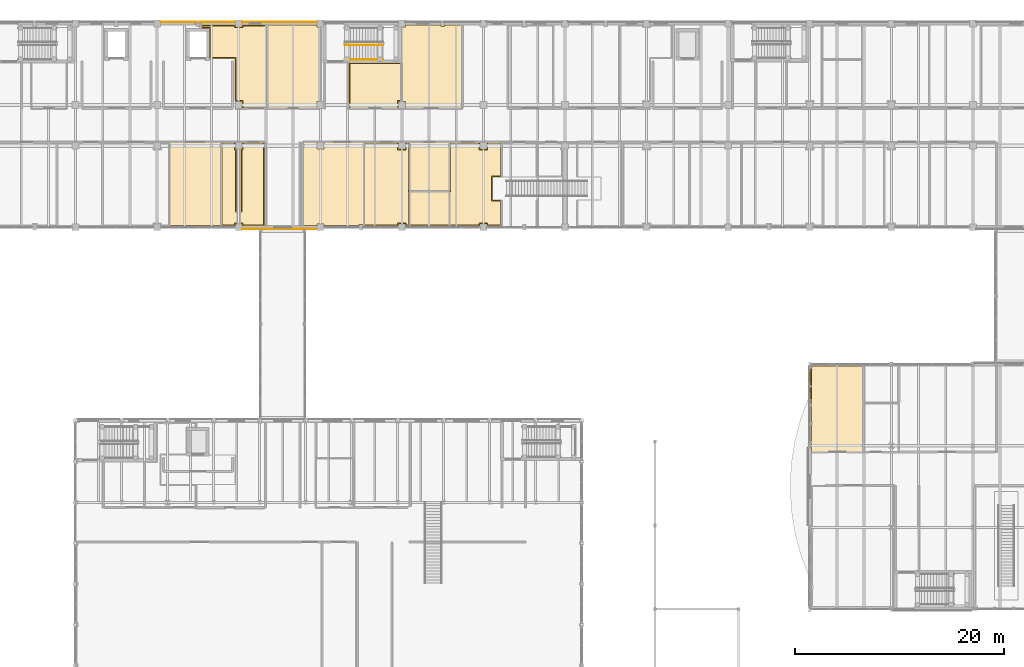
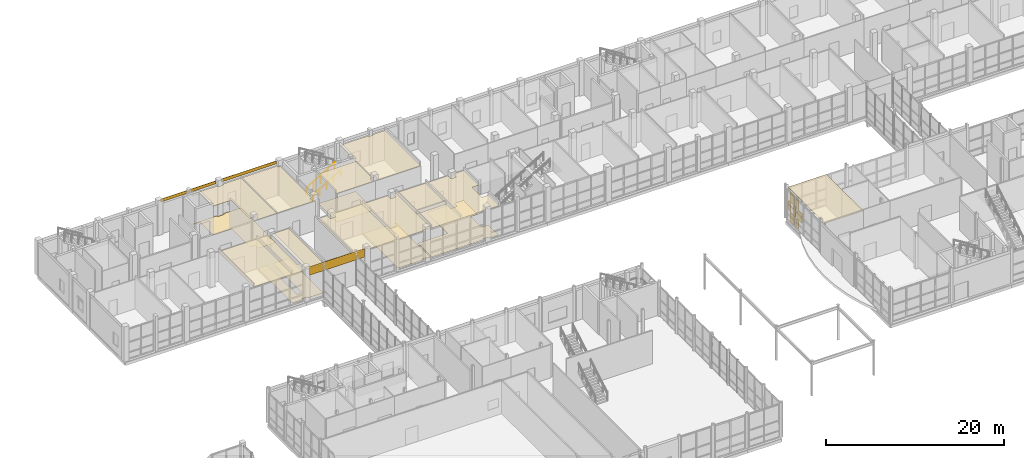
# One storey, part 123 of 131: 27 coverings, 2 railings.
"""IFC4 building model written with IfcOpenShell, lengths in metres."""

from ifc_helpers import new_model, si_unit, direction, frame, origin, origin_2d, place, context, subcontext, project, spatial, polyline, rectangle, circle, outline, extrude, material, layer, layer_set, type_object, element, save


model = new_model("IFC4")

# Units and contexts
model_context = context("Model", 3, precision=1e-05, world=origin(), true_north=direction((0.0, 1.0)))
body_context = subcontext(model_context, "Body", "Model", "MODEL_VIEW")
ifc_project = project(units=[si_unit("LENGTHUNIT", "METRE"), si_unit("AREAUNIT", "SQUARE_METRE"), si_unit("VOLUMEUNIT", "CUBIC_METRE"), si_unit("PLANEANGLEUNIT", "RADIAN"), si_unit("MASSUNIT", "GRAM", prefix="KILO")], contexts=[model_context])

# Site, building, storey
site_placement = place(None, origin())
site = spatial("IfcSite", under=ifc_project, at=site_placement, CompositionType="ELEMENT")
building_placement = place(site_placement, origin())
building = spatial("IfcBuilding", under=site, at=building_placement, Name="Celorna Specialist Clinic", CompositionType="ELEMENT")
storey_placement = place(building_placement, origin())
storey = spatial("IfcBuildingStorey", under=building, at=storey_placement, Name="L00", CompositionType="ELEMENT", Elevation=0.0)

# Coverings
ifc_material_1 = material(Name="Hygienic acoustic mineral-fibre ceiling")
ifc_layer_1 = layer(ifc_material_1, 0.030029296875, Name="Hygienic acoustic mineral-fibre ceiling")
ifc_layer_set_1 = layer_set([ifc_layer_1], Name="Hygienic acoustic mineral-fibre ceiling")
covering_type_1 = type_object("IfcCoveringType", Name="CE-01", PredefinedType="CEILING", material=ifc_layer_set_1)
covering_1_placement = place(storey_placement, frame((0.0, 0.0, 4.330078125)))
element("IfcCovering", 1, at=covering_1_placement, inside=storey, type_object=covering_type_1, Name="Acoustic ceiling L00-042", PredefinedType="CEILING", context=body_context, shape_type="SweptSolid", body=[
    extrude(outline(polyline([(129.93505859375, 83.2451171875), (129.93505859375, 74.985107421875), (124.955078125, 74.985107421875), (124.955078125, 75.39990234375), (124.955078125, 75.800048828125), (124.955078125, 83.199951171875), (124.955078125, 83.2451171875), (129.93505859375, 83.2451171875)])), origin(), (0.0, 0.0, 1.0), 0.030029296875),
])
covering_2_placement = place(storey_placement, frame((0.0, 0.0, 3.989990234375)))
element("IfcCovering", 2, at=covering_2_placement, inside=storey, type_object=covering_type_1, Name="Acoustic ceiling L00-053", PredefinedType="CEILING", context=body_context, shape_type="SweptSolid", body=[
    extrude(outline(polyline([(68.534912109375, 104.6650390625), (68.534912109375, 96.655029296875), (63.554931640625, 96.655029296875), (63.554931640625, 104.6650390625), (68.534912109375, 104.6650390625)])), origin(), (0.0, 0.0, 1.0), 0.030029296875),
])
covering_3_placement = place(storey_placement, frame((0.0, 0.0, 3.989990234375)))
element("IfcCovering", 3, at=covering_3_placement, inside=storey, type_object=covering_type_1, Name="Acoustic ceiling L00-054", PredefinedType="CEILING", context=body_context, shape_type="SweptSolid", body=[
    extrude(outline(polyline([(69.8798828125, 104.6650390625), (69.8798828125, 104.6298828125), (69.8701171875, 104.6298828125), (69.8701171875, 103.969970703125), (69.965087890625, 103.969970703125), (69.965087890625, 98.06494140625), (70.43505859375, 98.06494140625), (70.43505859375, 103.969970703125), (70.530029296875, 103.969970703125), (70.530029296875, 104.6298828125), (70.52001953125, 104.6298828125), (70.52001953125, 104.6650390625), (72.64501953125, 104.6650390625), (72.64501953125, 96.655029296875), (70.530029296875, 96.655029296875), (70.530029296875, 96.830078125), (69.8701171875, 96.830078125), (69.8701171875, 96.655029296875), (68.5048828125, 96.655029296875), (68.5048828125, 104.6650390625), (69.8798828125, 104.6650390625)])), origin(), (0.0, 0.0, 1.0), 0.030029296875),
])
covering_4_placement = place(storey_placement, frame((0.0, 0.0, 3.989990234375)))
element("IfcCovering", 4, at=covering_4_placement, inside=storey, type_object=covering_type_1, Name="Acoustic ceiling L00-055", PredefinedType="CEILING", context=body_context, shape_type="SweptSolid", body=[
    extrude(outline(polyline([(77.679931640625, 104.6650390625), (77.679931640625, 104.6298828125), (77.669921875, 104.6298828125), (77.669921875, 103.969970703125), (78.330078125, 103.969970703125), (78.330078125, 104.6298828125), (78.320068359375, 104.6298828125), (78.320068359375, 104.6650390625), (82.18505859375, 104.6650390625), (82.18505859375, 96.77001953125), (82.080078125, 96.77001953125), (82.080078125, 96.780029296875), (81.719970703125, 96.780029296875), (81.719970703125, 96.655029296875), (78.330078125, 96.655029296875), (78.330078125, 96.830078125), (77.669921875, 96.830078125), (77.669921875, 96.655029296875), (76.304931640625, 96.655029296875), (76.304931640625, 104.6650390625), (77.679931640625, 104.6650390625)])), origin(), (0.0, 0.0, 1.0), 0.030029296875),
])
covering_5_placement = place(storey_placement, frame((0.0, 0.0, 3.989990234375)))
element("IfcCovering", 5, at=covering_5_placement, inside=storey, type_object=covering_type_1, Name="Acoustic ceiling L00-056", PredefinedType="CEILING", context=body_context, shape_type="SweptSolid", body=[
    extrude(outline(polyline([(85.47998046875, 104.6650390625), (85.47998046875, 104.6298828125), (85.469970703125, 104.6298828125), (85.469970703125, 103.969970703125), (86.1298828125, 103.969970703125), (86.1298828125, 104.6298828125), (86.1201171875, 104.6298828125), (86.1201171875, 104.6650390625), (86.534912109375, 104.6650390625), (86.534912109375, 96.655029296875), (86.1298828125, 96.655029296875), (86.1298828125, 96.830078125), (85.469970703125, 96.830078125), (85.469970703125, 96.655029296875), (82.155029296875, 96.655029296875), (82.155029296875, 104.6650390625), (85.47998046875, 104.6650390625)])), origin(), (0.0, 0.0, 1.0), 0.030029296875),
])
covering_6_placement = place(storey_placement, frame((0.0, 0.0, 3.989990234375)))
element("IfcCovering", 6, at=covering_6_placement, inside=storey, type_object=covering_type_1, Name="Acoustic ceiling L00-057", PredefinedType="CEILING", context=body_context, shape_type="SweptSolid", body=[
    extrude(outline(polyline([(90.385009765625, 104.6650390625), (90.385009765625, 99.93505859375), (86.5048828125, 99.93505859375), (86.5048828125, 104.6650390625), (90.385009765625, 104.6650390625)])), origin(), (0.0, 0.0, 1.0), 0.030029296875),
])
covering_7_placement = place(storey_placement, frame((0.0, 0.0, 3.989990234375)))
element("IfcCovering", 7, at=covering_7_placement, inside=storey, type_object=covering_type_1, Name="Acoustic ceiling L00-058", PredefinedType="CEILING", context=body_context, shape_type="SweptSolid", body=[
    extrude(outline(polyline([(90.35498046875, 104.6650390625), (93.280029296875, 104.6650390625), (93.280029296875, 104.6298828125), (93.27001953125, 104.6298828125), (93.27001953125, 103.969970703125), (93.929931640625, 103.969970703125), (93.929931640625, 104.6298828125), (93.919921875, 104.6298828125), (93.919921875, 104.6650390625), (95.3349609375, 104.6650390625), (95.3349609375, 101.31005859375), (94.465087890625, 101.31005859375), (94.465087890625, 99.090087890625), (95.3349609375, 99.090087890625), (95.3349609375, 96.655029296875), (93.929931640625, 96.655029296875), (93.929931640625, 96.830078125), (93.27001953125, 96.830078125), (93.27001953125, 96.655029296875), (86.5048828125, 96.655029296875), (86.5048828125, 99.965087890625), (90.35498046875, 99.965087890625), (90.35498046875, 104.6650390625)])), origin(), (0.0, 0.0, 1.0), 0.030029296875),
])
covering_8_placement = place(storey_placement, frame((0.0, 0.0, 3.989990234375)))
element("IfcCovering", 8, at=covering_8_placement, inside=storey, type_object=covering_type_1, Name="Acoustic ceiling L00-072", PredefinedType="CEILING", context=body_context, shape_type="SweptSolid", body=[
    extrude(outline(polyline([(72.985107421875, 115.844970703125), (72.985107421875, 107.8349609375), (70.52001953125, 107.8349609375), (70.52001953125, 107.8701171875), (70.530029296875, 107.8701171875), (70.530029296875, 108.530029296875), (69.8701171875, 108.530029296875), (69.8701171875, 108.52001953125), (69.8349609375, 108.52001953125), (69.8349609375, 112.635009765625), (67.409912109375, 112.635009765625), (67.409912109375, 115.510009765625), (66.554931640625, 115.510009765625), (66.554931640625, 115.844970703125), (69.8701171875, 115.844970703125), (69.8701171875, 115.669921875), (70.530029296875, 115.669921875), (70.530029296875, 115.844970703125), (72.985107421875, 115.844970703125)])), origin(), (0.0, 0.0, 1.0), 0.030029296875),
])
covering_9_placement = place(storey_placement, frame((0.0, 0.0, 3.989990234375)))
element("IfcCovering", 9, at=covering_9_placement, inside=storey, type_object=covering_type_1, Name="Acoustic ceiling L00-073", PredefinedType="CEILING", context=body_context, shape_type="SweptSolid", body=[
    extrude(outline(polyline([(77.669921875, 115.844970703125), (77.669921875, 115.669921875), (77.93505859375, 115.669921875), (77.93505859375, 108.530029296875), (77.669921875, 108.530029296875), (77.669921875, 107.8701171875), (77.679931640625, 107.8701171875), (77.679931640625, 107.8349609375), (72.955078125, 107.8349609375), (72.955078125, 115.844970703125), (77.669921875, 115.844970703125)])), origin(), (0.0, 0.0, 1.0), 0.030029296875),
])
covering_10_placement = place(storey_placement, frame((0.0, 0.0, 3.989990234375)))
element("IfcCovering", 10, at=covering_10_placement, inside=storey, type_object=covering_type_1, Name="Acoustic ceiling L00-074", PredefinedType="CEILING", context=body_context, shape_type="SweptSolid", body=[
    extrude(outline(polyline([(80.7451171875, 112.235107421875), (85.735107421875, 112.235107421875), (85.735107421875, 108.530029296875), (85.469970703125, 108.530029296875), (85.469970703125, 107.8701171875), (85.47998046875, 107.8701171875), (85.47998046875, 107.8349609375), (80.7451171875, 107.8349609375), (80.7451171875, 112.235107421875)])), origin(), (0.0, 0.0, 1.0), 0.030029296875),
])
covering_11_placement = place(storey_placement, frame((0.0, 0.0, 3.989990234375)))
element("IfcCovering", 11, at=covering_11_placement, inside=storey, type_object=covering_type_1, Name="Acoustic ceiling L00-075", PredefinedType="CEILING", context=body_context, shape_type="SweptSolid", body=[
    extrude(outline(polyline([(85.72509765625, 115.669921875), (86.1298828125, 115.669921875), (86.1298828125, 115.844970703125), (89.52001953125, 115.844970703125), (89.52001953125, 115.719970703125), (89.8798828125, 115.719970703125), (89.8798828125, 115.844970703125), (91.5849609375, 115.844970703125), (91.5849609375, 107.8349609375), (86.1201171875, 107.8349609375), (86.1201171875, 107.8701171875), (86.1298828125, 107.8701171875), (86.1298828125, 108.530029296875), (85.705078125, 108.530029296875), (85.705078125, 112.235107421875), (85.72509765625, 112.235107421875), (85.72509765625, 115.669921875)])), origin(), (0.0, 0.0, 1.0), 0.030029296875),
])
ifc_material_2 = material(Name="Pero Pinheiro Lioz limestone rainscreen cladding", Category="masonry")
ifc_layer_2 = layer(ifc_material_2, 0.044921875, Name="Pero Pinheiro Lioz limestone rainscreen cladding")
ifc_layer_set_2 = layer_set([ifc_layer_2], Name="Pero Pinheiro Lioz limestone rainscreen cladding")
covering_type_2 = type_object("IfcCoveringType", Name="CL-01", PredefinedType="CLADDING", material=ifc_layer_set_2)
covering_12_placement = place(storey_placement, frame((74.10009765625, 96.3525390625, 3.384765625), z_axis=(0.0, 0.0, 1.0), x_axis=(-1.0, 0.0, 0.0)))
element("IfcCovering", 12, at=covering_12_placement, inside=storey, type_object=covering_type_2, Name="Lioz spandrel cladding #157", PredefinedType="CLADDING", context=body_context, shape_type="SweptSolid", body=[
    extrude(rectangle(XDim=7.14990234375, YDim=0.044921875, at=origin_2d()), origin(), (0.0, 0.0, 1.0), 1.155029296875),
])
for number, where, z_axis, x_axis, name in (
    (13, (64.425048828125, 116.1474609375, 4.14013671875), (0.0, 0.0, 1.0), (1.0, 0.0, 0.0), "Lioz spandrel cladding #163"),
    (14, (68.175048828125, 116.1474609375, 4.14013671875), (0.0, 0.0, 1.0), (1.0, 0.0, 0.0), "Lioz spandrel cladding #164"),
):
    element("IfcCovering", number, at=place(storey_placement, frame(where, z_axis=z_axis, x_axis=x_axis)), inside=storey, type_object=covering_type_2, Name=name, PredefinedType="CLADDING", context=body_context, shape_type="SweptSolid", body=[
        extrude(rectangle(XDim=3.39990234375, YDim=0.044921875, at=origin_2d()), origin(), (0.0, 0.0, 1.0), 0.39990234375),
    ])
covering_13_placement = place(storey_placement, frame((74.10009765625, 116.1474609375, 4.14013671875), z_axis=(0.0, 0.0, 1.0), x_axis=(1.0, 0.0, 0.0)))
element("IfcCovering", 15, at=covering_13_placement, inside=storey, type_object=covering_type_2, Name="Lioz spandrel cladding #165", PredefinedType="CLADDING", context=body_context, shape_type="SweptSolid", body=[
    extrude(rectangle(XDim=7.14990234375, YDim=0.044921875, at=origin_2d()), origin(), (0.0, 0.0, 1.0), 0.39990234375),
])
ifc_material_3 = material(Name="Perforated terracotta brick weave cladding", Category="masonry")
ifc_layer_3 = layer(ifc_material_3, 0.114990234375, Name="Perforated terracotta brick weave cladding")
ifc_layer_set_3 = layer_set([ifc_layer_3], Name="Perforated terracotta brick weave cladding")
covering_type_3 = type_object("IfcCoveringType", Name="CL-02", PredefinedType="CLADDING", material=ifc_layer_set_3)
covering_14_placement = place(storey_placement, frame((124.8701171875, 80.968994140625, 0.10009765625), z_axis=(0.0, 0.0, 1.0), x_axis=(0.0, 1.0, 0.0)))
element("IfcCovering", 16, at=covering_14_placement, inside=storey, type_object=covering_type_3, Name="Woven perforated terracotta brick course #1618", PredefinedType="CLADDING", context=body_context, shape_type="SweptSolid", body=[
    extrude(rectangle(XDim=0.507080078125, YDim=0.114990234375, at=origin_2d()), origin(), (0.0, 0.0, 1.0), 1.24658203125),
])
covering_15_placement = place(storey_placement, frame((124.8701171875, 80.39111328125, 1.44677734375), z_axis=(0.0, 0.0, 1.0), x_axis=(0.0, 1.0, 0.0)))
element("IfcCovering", 17, at=covering_15_placement, inside=storey, type_object=covering_type_3, Name="Woven perforated terracotta brick course #1619", PredefinedType="CLADDING", context=body_context, shape_type="SweptSolid", body=[
    extrude(rectangle(XDim=0.897705078125, YDim=0.114990234375, at=origin_2d()), origin(), (0.0, 0.0, 1.0), 1.24658203125),
])
covering_16_placement = place(storey_placement, frame((124.8701171875, 80.968994140625, 2.793212890625), z_axis=(0.0, 0.0, 1.0), x_axis=(0.0, 1.0, 0.0)))
element("IfcCovering", 18, at=covering_16_placement, inside=storey, type_object=covering_type_3, Name="Woven perforated terracotta brick course #1621", PredefinedType="CLADDING", context=body_context, shape_type="SweptSolid", body=[
    extrude(rectangle(XDim=0.507080078125, YDim=0.114990234375, at=origin_2d()), origin(), (0.0, 0.0, 1.0), 1.24658203125),
])
covering_17_placement = place(storey_placement, frame((124.8701171875, 82.173828125, 0.10009765625), z_axis=(0.0, 0.0, 1.0), x_axis=(0.0, 1.0, 0.0)))
element("IfcCovering", 19, at=covering_17_placement, inside=storey, type_object=covering_type_3, Name="Woven perforated terracotta brick course #1622", PredefinedType="CLADDING", context=body_context, shape_type="SweptSolid", body=[
    extrude(rectangle(XDim=0.897705078125, YDim=0.114990234375, at=origin_2d()), origin(), (0.0, 0.0, 1.0), 1.24658203125),
])
for number, where, z_axis, x_axis, name in (
    (20, (124.8701171875, 81.59619140625, 1.44677734375), (0.0, 0.0, 1.0), (0.0, 1.0, 0.0), "Woven perforated terracotta brick course #1623"),
    (21, (124.8701171875, 82.75146484375, 1.44677734375), (0.0, 0.0, 1.0), (0.0, 1.0, 0.0), "Woven perforated terracotta brick course #1624"),
):
    element("IfcCovering", number, at=place(storey_placement, frame(where, z_axis=z_axis, x_axis=x_axis)), inside=storey, type_object=covering_type_3, Name=name, PredefinedType="CLADDING", context=body_context, shape_type="SweptSolid", body=[
        extrude(rectangle(XDim=0.507080078125, YDim=0.114990234375, at=origin_2d()), origin(), (0.0, 0.0, 1.0), 1.24658203125),
    ])
covering_18_placement = place(storey_placement, frame((124.8701171875, 82.173828125, 2.793212890625), z_axis=(0.0, 0.0, 1.0), x_axis=(0.0, 1.0, 0.0)))
element("IfcCovering", 22, at=covering_18_placement, inside=storey, type_object=covering_type_3, Name="Woven perforated terracotta brick course #1625", PredefinedType="CLADDING", context=body_context, shape_type="SweptSolid", body=[
    extrude(rectangle(XDim=0.897705078125, YDim=0.114990234375, at=origin_2d()), origin(), (0.0, 0.0, 1.0), 1.24658203125),
])
ifc_material_4 = material(Name="Seamless antimicrobial clinical vinyl and Lioz terrazzo flooring")
ifc_layer_4 = layer(ifc_material_4, 0.02001953125, Name="Seamless antimicrobial clinical vinyl and Lioz terrazzo flooring")
ifc_layer_set_4 = layer_set([ifc_layer_4], Name="Seamless antimicrobial clinical vinyl and Lioz terrazzo flooring")
covering_type_4 = type_object("IfcCoveringType", Name="FL-01", PredefinedType="FLOORING", material=ifc_layer_set_4)
covering_19_placement = place(storey_placement, origin())
element("IfcCovering", 23, at=covering_19_placement, inside=storey, type_object=covering_type_4, Name="Antimicrobial clinical flooring L00-054", PredefinedType="FLOORING", context=body_context, shape_type="SweptSolid", body=[
    extrude(outline(polyline([(68.594970703125, 104.574951171875), (69.7900390625, 104.574951171875), (69.7900390625, 103.889892578125), (69.875, 103.889892578125), (69.875, 97.97509765625), (70.52490234375, 97.97509765625), (70.52490234375, 103.889892578125), (70.610107421875, 103.889892578125), (70.610107421875, 104.574951171875), (72.554931640625, 104.574951171875), (72.554931640625, 96.7451171875), (70.610107421875, 96.7451171875), (70.610107421875, 96.909912109375), (69.7900390625, 96.909912109375), (69.7900390625, 96.7451171875), (68.594970703125, 96.7451171875), (68.594970703125, 104.574951171875)])), origin(), (0.0, 0.0, 1.0), 0.02001953125),
])
covering_20_placement = place(storey_placement, origin())
element("IfcCovering", 24, at=covering_20_placement, inside=storey, type_object=covering_type_4, Name="Antimicrobial clinical flooring L00-056", PredefinedType="FLOORING", context=body_context, shape_type="SweptSolid", body=[
    extrude(outline(polyline([(82.2451171875, 104.574951171875), (85.389892578125, 104.574951171875), (85.389892578125, 103.889892578125), (86.2099609375, 103.889892578125), (86.2099609375, 104.574951171875), (86.445068359375, 104.574951171875), (86.445068359375, 96.7451171875), (86.2099609375, 96.7451171875), (86.2099609375, 96.909912109375), (85.389892578125, 96.909912109375), (85.389892578125, 96.7451171875), (82.2451171875, 96.7451171875), (82.2451171875, 104.574951171875)])), origin(), (0.0, 0.0, 1.0), 0.02001953125),
])
covering_21_placement = place(storey_placement, origin())
element("IfcCovering", 25, at=covering_21_placement, inside=storey, type_object=covering_type_4, Name="Antimicrobial clinical flooring L00-058", PredefinedType="FLOORING", context=body_context, shape_type="SweptSolid", body=[
    extrude(outline(polyline([(90.445068359375, 99.875), (90.445068359375, 104.574951171875), (93.18994140625, 104.574951171875), (93.18994140625, 103.889892578125), (94.010009765625, 103.889892578125), (94.010009765625, 104.574951171875), (95.2451171875, 104.574951171875), (95.2451171875, 101.39990234375), (94.375, 101.39990234375), (94.375, 99.0), (95.2451171875, 99.0), (95.2451171875, 96.7451171875), (94.010009765625, 96.7451171875), (94.010009765625, 96.909912109375), (93.18994140625, 96.909912109375), (93.18994140625, 96.7451171875), (86.594970703125, 96.7451171875), (86.594970703125, 99.875), (90.445068359375, 99.875)])), origin(), (0.0, 0.0, 1.0), 0.02001953125),
])
covering_22_placement = place(storey_placement, origin())
element("IfcCovering", 26, at=covering_22_placement, inside=storey, type_object=covering_type_4, Name="Antimicrobial clinical flooring L00-072", PredefinedType="FLOORING", context=body_context, shape_type="SweptSolid", body=[
    extrude(outline(polyline([(69.7900390625, 115.7548828125), (69.7900390625, 115.590087890625), (70.610107421875, 115.590087890625), (70.610107421875, 115.7548828125), (72.89501953125, 115.7548828125), (72.89501953125, 107.925048828125), (70.610107421875, 107.925048828125), (70.610107421875, 108.610107421875), (69.925048828125, 108.610107421875), (69.925048828125, 112.72509765625), (67.5, 112.72509765625), (67.5, 115.60009765625), (66.64501953125, 115.60009765625), (66.64501953125, 115.7548828125), (69.7900390625, 115.7548828125)])), origin(), (0.0, 0.0, 1.0), 0.02001953125),
])
covering_23_placement = place(storey_placement, origin())
element("IfcCovering", 27, at=covering_23_placement, inside=storey, type_object=covering_type_4, Name="Antimicrobial clinical flooring L00-074", PredefinedType="FLOORING", context=body_context, shape_type="SweptSolid", body=[
    extrude(outline(polyline([(80.8349609375, 107.925048828125), (80.8349609375, 112.14501953125), (85.64501953125, 112.14501953125), (85.64501953125, 108.610107421875), (85.389892578125, 108.610107421875), (85.389892578125, 107.925048828125), (80.8349609375, 107.925048828125)])), origin(), (0.0, 0.0, 1.0), 0.02001953125),
])

# Railings
ifc_material_5 = material(Name="Powder-coated steel S355", Category="steel")
railing_type_1 = type_object("IfcRailingType", Name="GR-01", PredefinedType="GUARDRAIL", material=ifc_material_5)
railing_1_placement = place(storey_placement, frame((80.340087890625, 113.919921875, 0.17138671875)))
element("IfcRailing", 28, at=railing_1_placement, inside=storey, type_object=railing_type_1, Name="L00 ST-02 stair guard 1", PredefinedType="GUARDRAIL", context=body_context, shape_type="SweptSolid", body=[
    extrude(circle(Radius=0.02392578125, at=origin_2d()), frame((0.0, 0.0, 1.09619140625), z_axis=(0.852850264322, 0.0, 0.5221555579), x_axis=(0.0, 1.0, 0.0)), (0.0, 0.0, 1.0), 4.267822265625),
    extrude(circle(Radius=0.02099609375, at=origin_2d()), origin(), (0.0, 0.0, 1.0), 1.072021484375),
    extrude(circle(Radius=0.02099609375, at=origin_2d()), frame((0.909912109375, 0.0, 0.55712890625)), (0.0, 0.0, 1.0), 1.072021484375),
    extrude(circle(Radius=0.02099609375, at=origin_2d()), frame((1.81982421875, 0.0, 1.1142578125)), (0.0, 0.0, 1.0), 1.072021484375),
    extrude(circle(Radius=0.02099609375, at=origin_2d()), frame((2.72998046875, 0.0, 1.67138671875)), (0.0, 0.0, 1.0), 1.072021484375),
    extrude(circle(Radius=0.02099609375, at=origin_2d()), frame((3.639892578125, 0.0, 2.228515625)), (0.0, 0.0, 1.0), 1.072021484375),
])
ifc_material_6 = material(Name="Brushed stainless steel handrail", Category="steel")
railing_type_2 = type_object("IfcRailingType", Name="HR-01", PredefinedType="HANDRAIL", material=ifc_material_6)
railing_2_placement = place(storey_placement, frame((80.340087890625, 112.570068359375, 0.17138671875)))
element("IfcRailing", 29, at=railing_2_placement, inside=storey, type_object=railing_type_2, Name="L00 ST-02 stair handrail 1", PredefinedType="HANDRAIL", context=body_context, shape_type="SweptSolid", body=[
    extrude(circle(Radius=0.02392578125, at=origin_2d()), frame((0.0, 0.0, 0.8759765625), z_axis=(0.852850264322, 0.0, 0.5221555579), x_axis=(0.0, 1.0, 0.0)), (0.0, 0.0, 1.0), 4.267822265625),
    extrude(circle(Radius=0.02099609375, at=origin_2d()), origin(), (0.0, 0.0, 1.0), 0.851806640625),
    extrude(circle(Radius=0.02099609375, at=origin_2d()), frame((0.909912109375, 0.0, 0.55712890625)), (0.0, 0.0, 1.0), 0.851806640625),
    extrude(circle(Radius=0.02099609375, at=origin_2d()), frame((1.81982421875, 0.0, 1.1142578125)), (0.0, 0.0, 1.0), 0.851806640625),
    extrude(circle(Radius=0.02099609375, at=origin_2d()), frame((2.72998046875, 0.0, 1.67138671875)), (0.0, 0.0, 1.0), 0.851806640625),
    extrude(circle(Radius=0.02099609375, at=origin_2d()), frame((3.639892578125, 0.0, 2.228515625)), (0.0, 0.0, 1.0), 0.851806640625),
])

save(model, "model.ifc")
